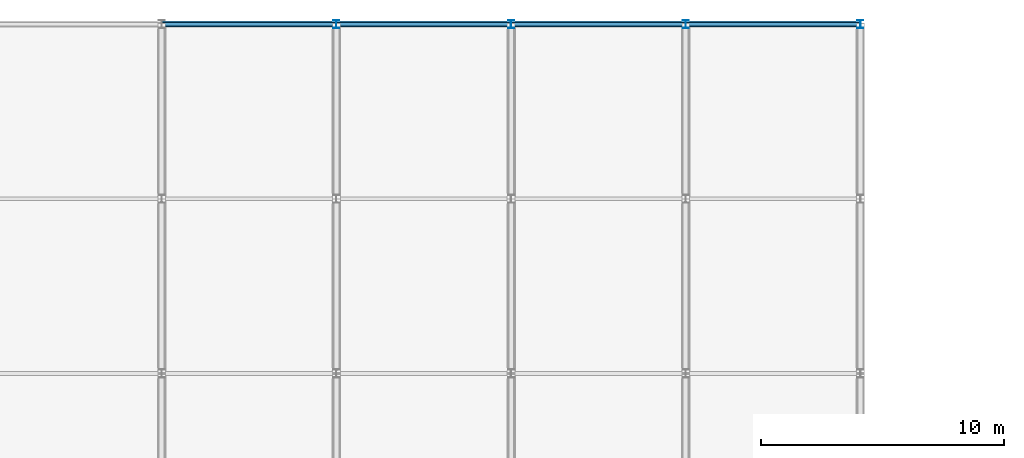
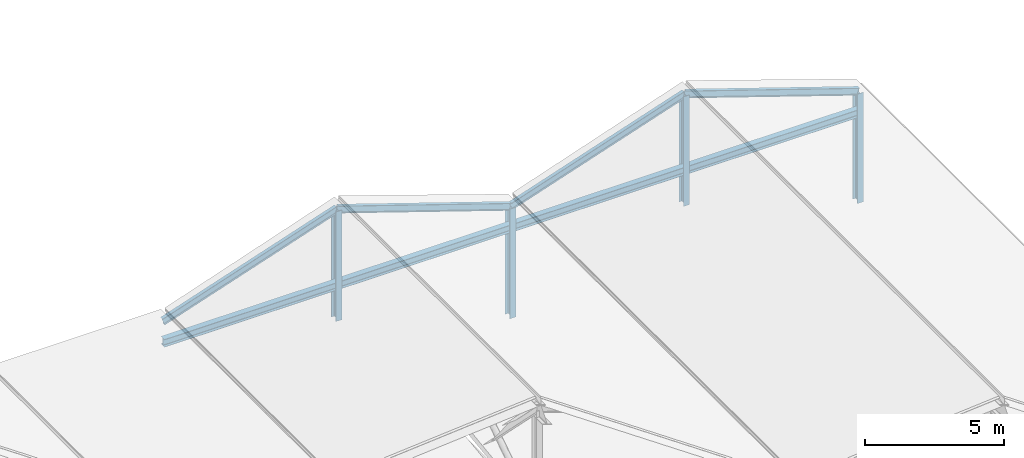
# One storey, part 30 of 60: 8 members, 4 beams.
"""IFC4 building model written with IfcOpenShell, lengths in metres."""

from ifc_helpers import new_model, si_unit, direction, frame, origin, origin_2d, place, context, subcontext, project, spatial, i_section, extrude, material, material_profile, profile_set, type_object, element, save


model = new_model("IFC4")

# Units and contexts
model_context = context("Model", 3, precision=1e-05, world=origin(), true_north=direction((0.0, 1.0)))
body_context = subcontext(model_context, "Body", "Model", "MODEL_VIEW")
ifc_project = project(units=[si_unit("LENGTHUNIT", "METRE"), si_unit("AREAUNIT", "SQUARE_METRE"), si_unit("VOLUMEUNIT", "CUBIC_METRE"), si_unit("PLANEANGLEUNIT", "RADIAN"), si_unit("MASSUNIT", "GRAM", prefix="KILO")], contexts=[model_context])

# Site, building, storey
site_placement = place(None, origin())
site = spatial("IfcSite", under=ifc_project, at=site_placement, CompositionType="ELEMENT")
building_placement = place(site_placement, origin())
building = spatial("IfcBuilding", under=site, at=building_placement, Name="Vesperath Aquatics Centre", CompositionType="ELEMENT")
storey_placement = place(building_placement, frame((0.0, 0.0, 27.60009765625)))
storey = spatial("IfcBuildingStorey", under=building, at=storey_placement, Name="RF", CompositionType="ELEMENT", Elevation=27.60009765625)

# Beams
ifc_material_1 = material(Name="Steel Q355C", Category="steel")
ifc_material_profile_1 = material_profile(ifc_material_1, i_section(OverallWidth=0.25, OverallDepth=0.340087890625, WebThickness=0.009033203125, FlangeThickness=0.013916015625, FilletRadius=0.02001953125, at=origin_2d()), Name="HM 340x250x9x14")
ifc_profile_set_1 = profile_set([ifc_material_profile_1], Name="Steel Q355C")
beam_type = type_object("IfcBeamType", Name="BM-RB08", PredefinedType="BEAM", material=ifc_profile_set_1)
for number, where, z_axis, x_axis, name in (
    (1, (28.800048828125, 115.199951171875, -2.107421875), (1.0, 0.0, 0.0), (0.0, 1.0, 0.0), "Diving Roof Support Beam B12 North 5"),
    (2, (36.0, 115.199951171875, -2.107421875), (1.0, 0.0, 0.0), (0.0, 1.0, 0.0), "Diving Roof Support Beam B12 North 6"),
    (3, (43.199951171875, 115.199951171875, -2.107421875), (1.0, 0.0, 0.0), (0.0, 1.0, 0.0), "Diving Roof Support Beam B12 North 7"),
):
    element("IfcBeam", number, at=place(storey_placement, frame(where, z_axis=z_axis, x_axis=x_axis)), inside=storey, type_object=beam_type, Name=name, PredefinedType="BEAM", context=body_context, shape_type="SweptSolid", body=[
        extrude(i_section(OverallWidth=0.25, OverallDepth=0.340087890625, WebThickness=0.009033203125, FlangeThickness=0.013916015625, FilletRadius=0.02001953125, at=origin_2d()), origin(), (0.0, 0.0, 1.0), 7.199951171875),
    ])
beam_placement = place(storey_placement, frame((50.39990234375, 115.199951171875, -2.107421875), z_axis=(1.0, 0.0, 0.0), x_axis=(0.0, 1.0, 0.0)))
element("IfcBeam", 4, at=beam_placement, inside=storey, type_object=beam_type, Name="Diving Roof Support Beam B12 North 8", PredefinedType="BEAM", context=body_context, shape_type="SweptSolid", body=[
    extrude(i_section(OverallWidth=0.25, OverallDepth=0.340087890625, WebThickness=0.009033203125, FlangeThickness=0.013916015625, FilletRadius=0.02001953125, at=origin_2d()), origin(), (0.0, 0.0, 1.0), 7.2001953125),
])

# Members
ifc_material_profile_2 = material_profile(ifc_material_1, i_section(OverallWidth=0.14990234375, OverallDepth=0.300048828125, WebThickness=0.006591796875, FlangeThickness=0.009033203125, FilletRadius=0.012939453125, at=origin_2d()), Name="HN 300x150x6.5x9")
ifc_profile_set_2 = profile_set([ifc_material_profile_2], Name="Steel Q355C")
member_type_1 = type_object("IfcMemberType", Name="MB-PR02", PredefinedType="PURLIN", material=ifc_profile_set_2)
for number, where, z_axis, x_axis, name in (
    (5, (28.800048828125, 115.199951171875, -1.2001953125), (0.948676864184, 0.0, 0.316247066962), (0.0, 1.0, 0.0), "Diving Roof Purlin PR02 5-5"),
    (6, (36.0, 115.199951171875, 1.199951171875), (0.948676864184, 0.0, -0.316247066962), (0.0, 1.0, 0.0), "Diving Roof Purlin PR02 6-5"),
    (7, (43.199951171875, 115.199951171875, -1.2001953125), (0.948676864184, 0.0, 0.316247066962), (0.0, 1.0, 0.0), "Diving Roof Purlin PR02 7-5"),
):
    element("IfcMember", number, at=place(storey_placement, frame(where, z_axis=z_axis, x_axis=x_axis)), inside=storey, type_object=member_type_1, Name=name, PredefinedType="PURLIN", context=body_context, shape_type="SweptSolid", body=[
        extrude(i_section(OverallWidth=0.14990234375, OverallDepth=0.300048828125, WebThickness=0.006591796875, FlangeThickness=0.009033203125, FilletRadius=0.012939453125, at=origin_2d()), origin(), (0.0, 0.0, 1.0), 7.58935546875),
    ])
member_1_placement = place(storey_placement, frame((50.39990234375, 115.199951171875, 1.199951171875), z_axis=(0.948680081264, 0.0, -0.316237416212), x_axis=(0.0, 1.0, 0.0)))
element("IfcMember", 8, at=member_1_placement, inside=storey, type_object=member_type_1, Name="Diving Roof Purlin PR02 8-5", PredefinedType="PURLIN", context=body_context, shape_type="SweptSolid", body=[
    extrude(i_section(OverallWidth=0.14990234375, OverallDepth=0.300048828125, WebThickness=0.006591796875, FlangeThickness=0.009033203125, FilletRadius=0.012939453125, at=origin_2d()), origin(), (0.0, 0.0, 1.0), 7.589599609375),
])
ifc_material_2 = material(Name="Steel Q355D", Category="steel")
ifc_material_profile_3 = material_profile(ifc_material_2, i_section(OverallWidth=0.25, OverallDepth=0.340087890625, WebThickness=0.009033203125, FlangeThickness=0.013916015625, FilletRadius=0.02001953125, at=origin_2d()), Name="HM 340x250x9x14")
ifc_profile_set_3 = profile_set([ifc_material_profile_3], Name="Steel Q355D")
member_type_2 = type_object("IfcMemberType", Name="MB-TP02", PredefinedType="POST", material=ifc_profile_set_3)
member_2_placement = place(storey_placement, frame((36.0, 115.199951171875, -3.60009765625), z_axis=(0.0, 0.0, 1.0), x_axis=(1.0, 0.0, 0.0)))
element("IfcMember", 9, at=member_2_placement, inside=storey, type_object=member_type_2, Name="Diving ROOF TRUSS Post TP02 G6-5", PredefinedType="POST", context=body_context, shape_type="SweptSolid", body=[
    extrude(i_section(OverallWidth=0.25, OverallDepth=0.340087890625, WebThickness=0.009033203125, FlangeThickness=0.013916015625, FilletRadius=0.02001953125, at=origin_2d()), origin(), (0.0, 0.0, 1.0), 4.800048828125),
])
member_3_placement = place(storey_placement, frame((43.199951171875, 115.199951171875, -6.0), z_axis=(0.0, 0.0, 1.0), x_axis=(1.0, 0.0, 0.0)))
element("IfcMember", 10, at=member_3_placement, inside=storey, type_object=member_type_2, Name="Diving ROOF TRUSS Post TP02 G7-5", PredefinedType="POST", context=body_context, shape_type="SweptSolid", body=[
    extrude(i_section(OverallWidth=0.25, OverallDepth=0.340087890625, WebThickness=0.009033203125, FlangeThickness=0.013916015625, FilletRadius=0.02001953125, at=origin_2d()), origin(), (0.0, 0.0, 1.0), 4.7998046875),
])
member_4_placement = place(storey_placement, frame((50.39990234375, 115.199951171875, -3.60009765625), z_axis=(0.0, 0.0, 1.0), x_axis=(1.0, 0.0, 0.0)))
element("IfcMember", 11, at=member_4_placement, inside=storey, type_object=member_type_2, Name="Diving ROOF TRUSS Post TP02 G8-5", PredefinedType="POST", context=body_context, shape_type="SweptSolid", body=[
    extrude(i_section(OverallWidth=0.25, OverallDepth=0.340087890625, WebThickness=0.009033203125, FlangeThickness=0.013916015625, FilletRadius=0.02001953125, at=origin_2d()), origin(), (0.0, 0.0, 1.0), 4.800048828125),
])
member_5_placement = place(storey_placement, frame((57.60009765625, 115.199951171875, -6.0), z_axis=(0.0, 0.0, 1.0), x_axis=(1.0, 0.0, 0.0)))
element("IfcMember", 12, at=member_5_placement, inside=storey, type_object=member_type_2, Name="Diving ROOF TRUSS Post TP02 G9-5", PredefinedType="POST", context=body_context, shape_type="SweptSolid", body=[
    extrude(i_section(OverallWidth=0.25, OverallDepth=0.340087890625, WebThickness=0.009033203125, FlangeThickness=0.013916015625, FilletRadius=0.02001953125, at=origin_2d()), origin(), (0.0, 0.0, 1.0), 4.7998046875),
])

save(model, "model.ifc")
